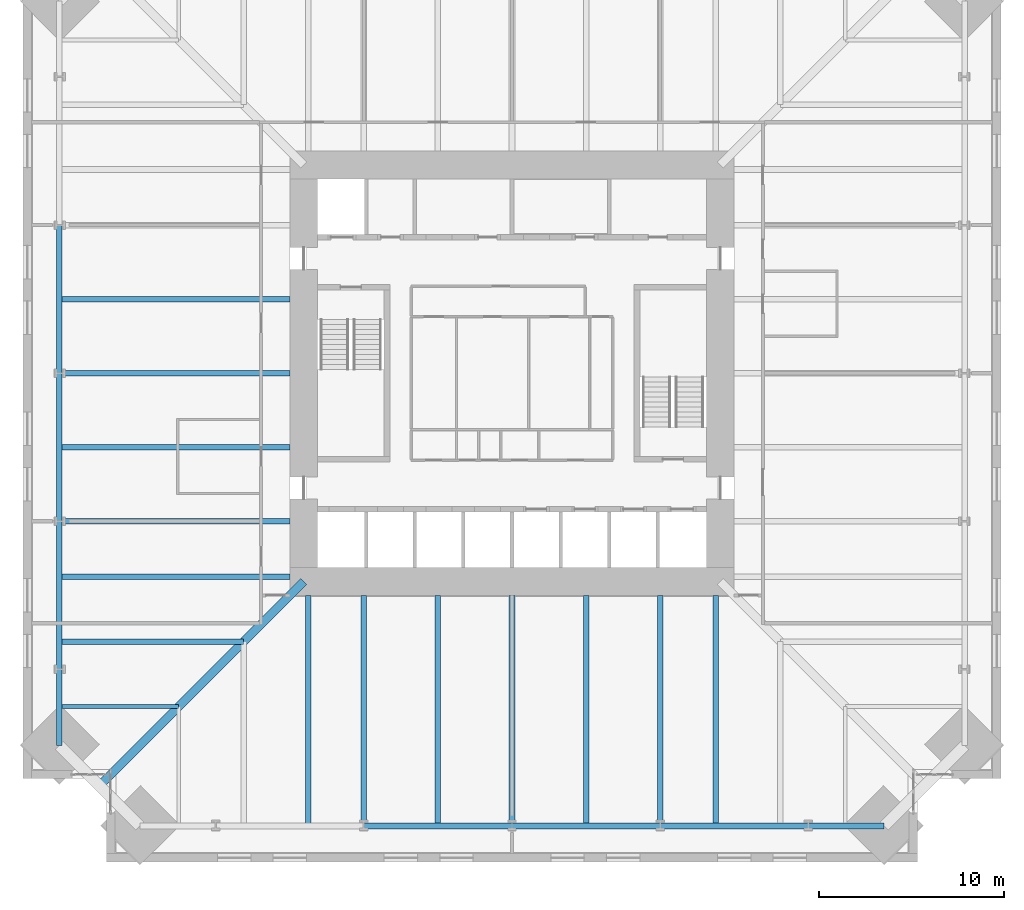
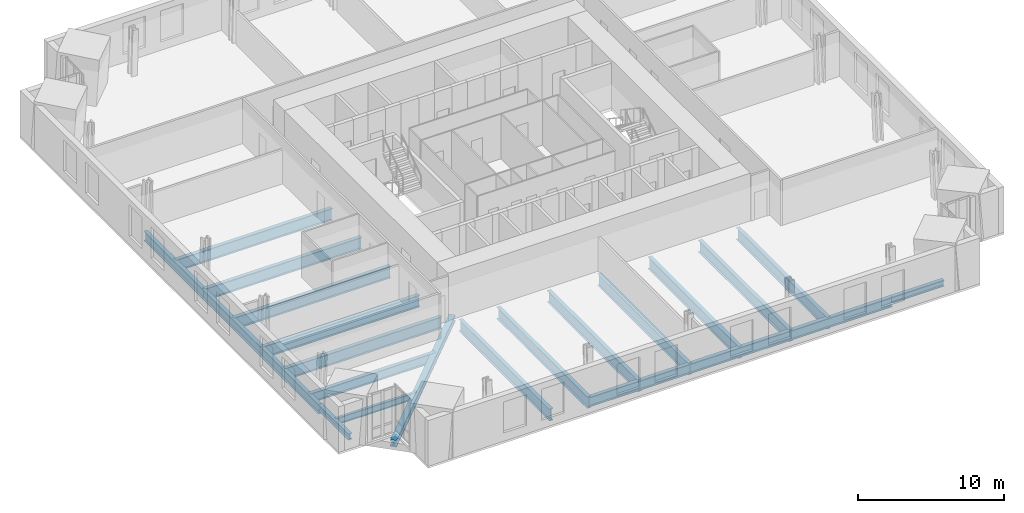
# One storey, part 3 of 18: 23 beams.
"""IFC4 building model written with IfcOpenShell, lengths in metres."""

import ifcopenshell
import ifcopenshell.guid

model = None  # the IFC model being written
_history = None  # IfcOwnerHistory: only IFC2X3 demands one
_inside = {}  # id of a spatial element -> (the spatial element, [elements in it])
_under = {}  # id of a project, library or spatial element -> (it, [spatial elements below it])
_declared = {}  # id of a project -> (the project, [libraries it declares])
_typed = {}  # id of a type object -> (the type object, [elements of that type])
_made_of = {}  # id of a material, layer set ... -> (it, [elements and type objects made of it])


def new_model(schema):
    """Start an empty IFC model of exactly this schema.

    Asked for "IFC4X3", IfcOpenShell would pick the latest addendum, in which some entities
    have other attributes; the version numbers below select the first issue.
    IFC2X3 requires an IfcOwnerHistory on every rooted entity: one is made here for all.
    """
    global model, _history
    if schema == "IFC4X3":
        model = ifcopenshell.file(schema_version=(4, 3, 0, 0))
    else:
        model = ifcopenshell.file(schema=schema)
    _inside.clear()
    _under.clear()
    _declared.clear()
    _typed.clear()
    _made_of.clear()
    _history = None
    if model.schema == "IFC2X3":
        org = make("IfcOrganization", Name="unknown")
        user = make(
            "IfcPersonAndOrganization",
            ThePerson=make("IfcPerson", FamilyName="unknown"),
            TheOrganization=org,
        )
        app = make(
            "IfcApplication",
            ApplicationDeveloper=org,
            Version="unknown",
            ApplicationFullName="unknown",
            ApplicationIdentifier="unknown",
        )
        _history = make(
            "IfcOwnerHistory",
            OwningUser=user,
            OwningApplication=app,
            ChangeAction="ADDED",
            CreationDate=0,
        )
    return model


def make(cls, **values):
    """One entity of the class cls with the attributes given. An attribute that is None is left unset."""
    return model.create_entity(
        cls, **{name: value for name, value in values.items() if value is not None}
    )


def rooted(cls, **values):
    """An entity with a GlobalId (a new one), such as an element, a storey or a relation."""
    return make(cls, GlobalId=ifcopenshell.guid.new(), OwnerHistory=_history, **values)


def si_unit(unit_type, name, prefix=None):
    """IfcSIUnit, for example si_unit("LENGTHUNIT", "METRE", prefix="MILLI")."""
    return make("IfcSIUnit", UnitType=unit_type, Prefix=prefix, Name=name)


def assignment(units):
    """IfcUnitAssignment: the units of a project."""
    return None if units is None else make("IfcUnitAssignment", Units=units)


def point(xyz):
    """IfcCartesianPoint."""
    return None if xyz is None else make("IfcCartesianPoint", Coordinates=xyz)


def direction(xyz):
    """IfcDirection."""
    return None if xyz is None else make("IfcDirection", DirectionRatios=xyz)


def frame(location, z_axis=None, x_axis=None):
    """IfcAxis2Placement3D, a coordinate frame: its origin and axes. An axis left out is left unset."""
    return make(
        "IfcAxis2Placement3D",
        Location=point(location),
        Axis=direction(z_axis),
        RefDirection=direction(x_axis),
    )


def frame_2d(location, x_axis=None):
    """IfcAxis2Placement2D, a coordinate frame in the plane: its origin and x axis."""
    return make(
        "IfcAxis2Placement2D", Location=point(location), RefDirection=direction(x_axis)
    )


def origin():
    """The frame at (0, 0, 0) with its axes left unset."""
    return frame((0.0, 0.0, 0.0))


def origin_2d():
    """The frame at (0, 0) in the plane with its x axis left unset."""
    return frame_2d((0.0, 0.0))


def place(relative_to, where):
    """IfcLocalPlacement: puts the frame where relative to a parent placement (None: the world)."""
    return make(
        "IfcLocalPlacement", PlacementRelTo=relative_to, RelativePlacement=where
    )


def context(
    kind, dimensions, precision=None, world=None, true_north=None, identifier=None
):
    """IfcGeometricRepresentationContext, for example the 3D "Model" context."""
    return make(
        "IfcGeometricRepresentationContext",
        ContextIdentifier=identifier,
        ContextType=kind,
        CoordinateSpaceDimension=dimensions,
        Precision=precision,
        WorldCoordinateSystem=world,
        TrueNorth=true_north,
    )


def subcontext(parent, identifier, kind, view, scale=None):
    """IfcGeometricRepresentationSubContext, for example "Body" below "Model"."""
    return make(
        "IfcGeometricRepresentationSubContext",
        ContextIdentifier=identifier,
        ContextType=kind,
        ParentContext=parent,
        TargetScale=scale,
        TargetView=view,
    )


def project(units=None, contexts=None):
    """IfcProject with its units and contexts."""
    return rooted(
        "IfcProject",
        Name="project",
        RepresentationContexts=contexts,
        UnitsInContext=assignment(units),
    )


def spatial(cls, under=None, at=None, **own):
    """A site, building, storey or space (cls), placed at a placement, below another one or the project."""
    s = rooted(cls, ObjectPlacement=at, **own)
    if under is not None:
        _under.setdefault(under.id(), (under, []))[1].append(s)
    return s


def profile(cls, at=None, kind="AREA", **sizes):
    """A parametric profile (cls). Its sizes go by their IFC names, for example OverallWidth=200.0."""
    return make(cls, ProfileType=kind, Position=at, **sizes)


def i_section(**sizes):
    """IfcIShapeProfileDef."""
    return profile("IfcIShapeProfileDef", **sizes)


def extrude(swept, where, along, depth):
    """IfcExtrudedAreaSolid: the profile swept, set in the frame where, extruded along a direction by depth."""
    return make(
        "IfcExtrudedAreaSolid",
        SweptArea=swept,
        Position=where,
        ExtrudedDirection=direction(along),
        Depth=depth,
    )


def shape(context_of_items, identifier, shape_type, items):
    """IfcShapeRepresentation: the items that make up one representation, for example the "Body"."""
    return make(
        "IfcShapeRepresentation",
        ContextOfItems=context_of_items,
        RepresentationIdentifier=identifier,
        RepresentationType=shape_type,
        Items=items,
    )


def material(Name=None, Category=None):
    """IfcMaterial."""
    return make("IfcMaterial", Name=Name, Category=Category)


def material_profile(
    of_material, cross_section, Name=None, Category=None, Priority=None
):
    """IfcMaterialProfile: a cross section and its material."""
    return make(
        "IfcMaterialProfile",
        Name=Name,
        Material=of_material,
        Profile=cross_section,
        Priority=Priority,
        Category=Category,
    )


def profile_set(profiles, Name=None, composite=None):
    """IfcMaterialProfileSet."""
    return make(
        "IfcMaterialProfileSet",
        Name=Name,
        MaterialProfiles=profiles,
        CompositeProfile=composite,
    )


def made_of(thing, what):
    """Note that an element or type object is made of a material, layer set ...; save() writes the relation."""
    if what is not None:
        _made_of.setdefault(what.id(), (what, []))[1].append(thing)
    return thing


def type_object(cls, material=None, **own):
    """A type object (cls), such as IfcWallType, which elements share."""
    return made_of(rooted(cls, **own), material)


def element(
    cls,
    number,
    at=None,
    inside=None,
    cuts=None,
    type_object=None,
    material=None,
    context=None,
    identifier="Body",
    shape_type=None,
    held_by="IfcProductDefinitionShape",
    body=None,
    shapes=None,
    **own,
):
    """One element of the class cls, such as IfcWall. Its Tag is "e" and its number.

    at: its placement. inside: the storey or other place that contains it. cuts: it is an
    opening in that element (IfcRelVoidsElement). A single representation is given by context,
    identifier, shape_type and body (its items); several are given by shapes. held_by: the class
    of the entity that holds the representations. save() writes the other relations.
    """
    e = rooted(cls, Tag="e%d" % number, ObjectPlacement=at, **own)
    if body is not None:
        shapes = [shape(context, identifier, shape_type, body)]
    if shapes is not None:
        e.Representation = make(held_by, Representations=shapes)
    if inside is not None:
        _inside.setdefault(inside.id(), (inside, []))[1].append(e)
    if cuts is not None:
        rooted(
            "IfcRelVoidsElement", RelatingBuildingElement=cuts, RelatedOpeningElement=e
        )
    if type_object is not None:
        _typed.setdefault(type_object.id(), (type_object, []))[1].append(e)
    return made_of(e, material)


def aggregate(whole, parts):
    """IfcRelAggregates: a whole, such as a stair, and the parts it consists of."""
    return rooted("IfcRelAggregates", RelatingObject=whole, RelatedObjects=parts)


def save(model, path):
    """Write the relations noted so far, then the file.

    IfcRelAggregates (storeys below a building ...), IfcRelContainedInSpatialStructure (elements
    in a storey), IfcRelDefinesByType, IfcRelAssociatesMaterial and IfcRelDeclares: one each for
    every whole, place, type object, material and project.
    """
    for whole, parts in _under.values():
        aggregate(whole, parts)
    for where, things in _inside.values():
        rooted(
            "IfcRelContainedInSpatialStructure",
            RelatedElements=things,
            RelatingStructure=where,
        )
    for kind, things in _typed.values():
        rooted("IfcRelDefinesByType", RelatedObjects=things, RelatingType=kind)
    for what, things in _made_of.values():
        rooted("IfcRelAssociatesMaterial", RelatedObjects=things, RelatingMaterial=what)
    for by, libraries in _declared.values():
        rooted("IfcRelDeclares", RelatingContext=by, RelatedDefinitions=libraries)
    model.write(path)


model = new_model("IFC4")

# Units and contexts
model_context = context("Model", 3, precision=1e-05, world=origin(), true_north=direction((0.0, 1.0)))
body_context = subcontext(model_context, "Body", "Model", "MODEL_VIEW")
ifc_project = project(units=[si_unit("LENGTHUNIT", "METRE"), si_unit("AREAUNIT", "SQUARE_METRE"), si_unit("VOLUMEUNIT", "CUBIC_METRE"), si_unit("PLANEANGLEUNIT", "RADIAN"), si_unit("MASSUNIT", "GRAM", prefix="KILO")], contexts=[model_context])

# Site, building, storey
site_placement = place(None, origin())
site = spatial("IfcSite", under=ifc_project, at=site_placement, CompositionType="ELEMENT")
building_placement = place(site_placement, origin())
building = spatial("IfcBuilding", under=site, at=building_placement, Name="Peilmerk Tower", CompositionType="ELEMENT")
storey_placement = place(building_placement, frame((0.0, 0.0, 159.800048828125)))
storey = spatial("IfcBuildingStorey", under=building, at=storey_placement, Name="L33", CompositionType="ELEMENT", Elevation=159.800048828125)

# Beams
ifc_material_1 = material(Name="Steel S355", Category="steel")
ifc_material_profile_1 = material_profile(ifc_material_1, i_section(OverallWidth=0.2099609375, OverallDepth=0.550048828125, WebThickness=0.010986328125, FlangeThickness=0.01708984375, at=origin_2d()), Name="IPE 550")
ifc_profile_set_1 = profile_set([ifc_material_profile_1], Name="Steel S355")
beam_type_1 = type_object("IfcBeamType", Name="B12 IPE 550 floor beam", PredefinedType="BEAM", material=ifc_profile_set_1)
beam_1_placement = place(storey_placement, frame((-18.0, -18.0, -0.445068359375), z_axis=(-1.0, 0.0, 0.0), x_axis=(0.0, -1.0, 0.0)))
element("IfcBeam", 1, at=beam_1_placement, inside=storey, type_object=beam_type_1, Name="Floor beam L33", PredefinedType="BEAM", context=body_context, shape_type="SweptSolid", body=[
    extrude(i_section(OverallWidth=0.2099609375, OverallDepth=0.550048828125, WebThickness=0.010986328125, FlangeThickness=0.01708984375, at=origin_2d()), origin(), (0.0, 0.0, 1.0), 6.453125),
])
ifc_material_profile_2 = material_profile(ifc_material_1, i_section(OverallWidth=0.300048828125, OverallDepth=0.989990234375, WebThickness=0.0166015625, FlangeThickness=0.031005859375, at=origin_2d()), Name="HEA 1000")
ifc_profile_set_2 = profile_set([ifc_material_profile_2], Name="Steel S355")
beam_type_2 = type_object("IfcBeamType", Name="B14 HEA 1000 floor girder", PredefinedType="BEAM", material=ifc_profile_set_2)
for number, where, z_axis, x_axis, name in (
    (2, (-11.0, -12.0, -0.6650390625), (0.0, -1.0, 0.0), (1.0, 0.0, 0.0), "Floor beam L33"),
    (3, (-8.0, -12.0, -0.6650390625), (0.0, -1.0, 0.0), (1.0, 0.0, 0.0), "Floor beam L33"),
    (4, (-4.0, -12.0, -0.6650390625), (0.0, -1.0, 0.0), (1.0, 0.0, 0.0), "Floor beam L33"),
    (5, (0.0, -12.0, -0.6650390625), (0.0, -1.0, 0.0), (1.0, 0.0, 0.0), "Floor beam L33"),
    (6, (4.0, -12.0, -0.6650390625), (0.0, -1.0, 0.0), (1.0, 0.0, 0.0), "Floor beam L33"),
    (7, (8.0, -12.0, -0.6650390625), (0.0, -1.0, 0.0), (1.0, 0.0, 0.0), "Floor beam L33"),
    (8, (11.0, -12.0, -0.6650390625), (0.0, -1.0, 0.0), (1.0, 0.0, 0.0), "Floor beam L33"),
    (9, (-12.0, 4.0, -0.6650390625), (-1.0, 0.0, 0.0), (0.0, -1.0, 0.0), "Floor beam L33"),
    (10, (-12.0, 0.0, -0.6650390625), (-1.0, 0.0, 0.0), (0.0, -1.0, 0.0), "Floor beam L33"),
    (11, (-12.0, -4.0, -0.6650390625), (-1.0, 0.0, 0.0), (0.0, -1.0, 0.0), "Floor beam L33"),
    (12, (-12.0, -8.0, -0.6650390625), (-1.0, 0.0, 0.0), (0.0, -1.0, 0.0), "Floor beam L33"),
    (13, (-12.0, -11.0, -0.6650390625), (-1.0, 0.0, 0.0), (0.0, -1.0, 0.0), "Floor beam L33"),
):
    element("IfcBeam", number, at=place(storey_placement, frame(where, z_axis=z_axis, x_axis=x_axis)), inside=storey, type_object=beam_type_2, Name=name, PredefinedType="BEAM", context=body_context, shape_type="SweptSolid", body=[
        extrude(i_section(OverallWidth=0.300048828125, OverallDepth=0.989990234375, WebThickness=0.0166015625, FlangeThickness=0.031005859375, at=origin_2d()), origin(), (0.0, 0.0, 1.0), 12.453125),
    ])
ifc_material_profile_3 = material_profile(ifc_material_1, i_section(OverallWidth=0.302978515625, OverallDepth=0.81396484375, WebThickness=0.02099609375, FlangeThickness=0.0400390625, at=origin_2d()), Name="HEM 800")
ifc_profile_set_3 = profile_set([ifc_material_profile_3], Name="Steel S355")
beam_type_3 = type_object("IfcBeamType", Name="B15 HEM 800 edge beam", PredefinedType="SPANDREL", material=ifc_profile_set_3)
for number, where, z_axis, x_axis, name in (
    (14, (-8.0, -24.453125, -0.5771484375), (1.0, 0.0, 0.0), (0.0, 1.0, 0.0), "Edge beam L33"),
    (15, (0.0, -24.453125, -0.5771484375), (1.0, 0.0, 0.0), (0.0, 1.0, 0.0), "Edge beam L33"),
    (16, (8.0, -24.453125, -0.5771484375), (1.0, 0.0, 0.0), (0.0, 1.0, 0.0), "Edge beam L33"),
    (17, (-24.453125, 8.0, -0.5771484375), (0.0, -1.0, 0.0), (1.0, 0.0, 0.0), "Edge beam L33"),
    (18, (-24.453125, 0.0, -0.5771484375), (0.0, -1.0, 0.0), (1.0, 0.0, 0.0), "Edge beam L33"),
    (19, (-24.453125, -8.0, -0.5771484375), (0.0, -1.0, 0.0), (1.0, 0.0, 0.0), "Edge beam L33"),
):
    element("IfcBeam", number, at=place(storey_placement, frame(where, z_axis=z_axis, x_axis=x_axis)), inside=storey, type_object=beam_type_3, Name=name, PredefinedType="SPANDREL", context=body_context, shape_type="SweptSolid", body=[
        extrude(i_section(OverallWidth=0.302978515625, OverallDepth=0.81396484375, WebThickness=0.02099609375, FlangeThickness=0.0400390625, at=origin_2d()), origin(), (0.0, 0.0, 1.0), 8.0),
    ])
ifc_material_profile_4 = material_profile(ifc_material_1, i_section(OverallWidth=0.300048828125, OverallDepth=0.7900390625, WebThickness=0.014892578125, FlangeThickness=0.028076171875, at=origin_2d()), Name="HEA 800")
ifc_profile_set_4 = profile_set([ifc_material_profile_4], Name="Steel S355")
beam_type_4 = type_object("IfcBeamType", Name="B3 HEA 800 floor beam", PredefinedType="BEAM", material=ifc_profile_set_4)
beam_2_placement = place(storey_placement, frame((-14.5, -14.5, -0.56494140625), z_axis=(-1.0, 0.0, 0.0), x_axis=(0.0, -1.0, 0.0)))
element("IfcBeam", 20, at=beam_2_placement, inside=storey, type_object=beam_type_4, Name="Floor beam L33", PredefinedType="BEAM", context=body_context, shape_type="SweptSolid", body=[
    extrude(i_section(OverallWidth=0.300048828125, OverallDepth=0.7900390625, WebThickness=0.014892578125, FlangeThickness=0.028076171875, at=origin_2d()), origin(), (0.0, 0.0, 1.0), 9.953125),
])
ifc_material_profile_5 = material_profile(ifc_material_1, i_section(OverallWidth=0.305908203125, OverallDepth=0.52392578125, WebThickness=0.02099609375, FlangeThickness=0.0400390625, at=origin_2d()), Name="HEM 500")
ifc_profile_set_5 = profile_set([ifc_material_profile_5], Name="Steel S355")
beam_type_5 = type_object("IfcBeamType", Name="B33 HEM 500 edge beam", PredefinedType="SPANDREL", material=ifc_profile_set_5)
for number, where, z_axis, x_axis, name in (
    (21, (16.0, -24.453125, -0.43212890625), (1.0, 0.0, 0.0), (0.0, 1.0, 0.0), "Edge beam L33"),
    (22, (-24.453125, -16.0, -0.43212890625), (0.0, -1.0, 0.0), (1.0, 0.0, 0.0), "Edge beam L33"),
):
    element("IfcBeam", number, at=place(storey_placement, frame(where, z_axis=z_axis, x_axis=x_axis)), inside=storey, type_object=beam_type_5, Name=name, PredefinedType="SPANDREL", context=body_context, shape_type="SweptSolid", body=[
        extrude(i_section(OverallWidth=0.305908203125, OverallDepth=0.52392578125, WebThickness=0.02099609375, FlangeThickness=0.0400390625, at=origin_2d()), origin(), (0.0, 0.0, 1.0), 4.103271484375),
    ])
ifc_material_2 = material(Name="Steel S460", Category="steel")
ifc_material_profile_6 = material_profile(ifc_material_2, i_section(OverallWidth=0.4541015625, OverallDepth=0.569091796875, WebThickness=0.077880859375, FlangeThickness=0.125, at=origin_2d()), Name="HD 400x1086")
ifc_profile_set_6 = profile_set([ifc_material_profile_6], Name="Steel S460")
beam_type_6 = type_object("IfcBeamType", Name="B9 HD 400x1086 corner girder", PredefinedType="BEAM", material=ifc_profile_set_6)
beam_3_placement = place(storey_placement, frame((-11.25, -11.25, -0.45458984375), z_axis=(-0.707106781187, -0.707106781187, 0.0), x_axis=(0.707106781187, -0.707106781187, 0.0)))
element("IfcBeam", 23, at=beam_3_placement, inside=storey, type_object=beam_type_6, Name="Corner girder L33", PredefinedType="BEAM", context=body_context, shape_type="SweptSolid", body=[
    extrude(i_section(OverallWidth=0.4541015625, OverallDepth=0.569091796875, WebThickness=0.077880859375, FlangeThickness=0.125, at=origin_2d()), origin(), (0.0, 0.0, 1.0), 15.596435546875),
])

save(model, "model.ifc")
